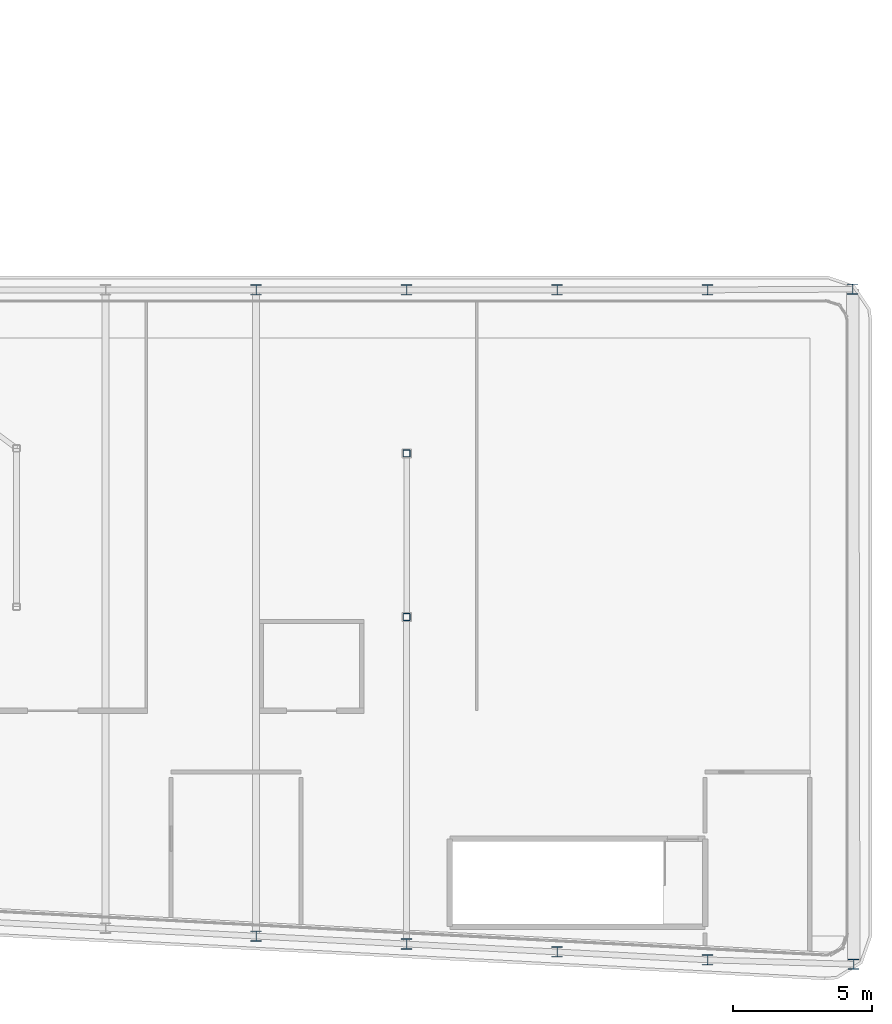
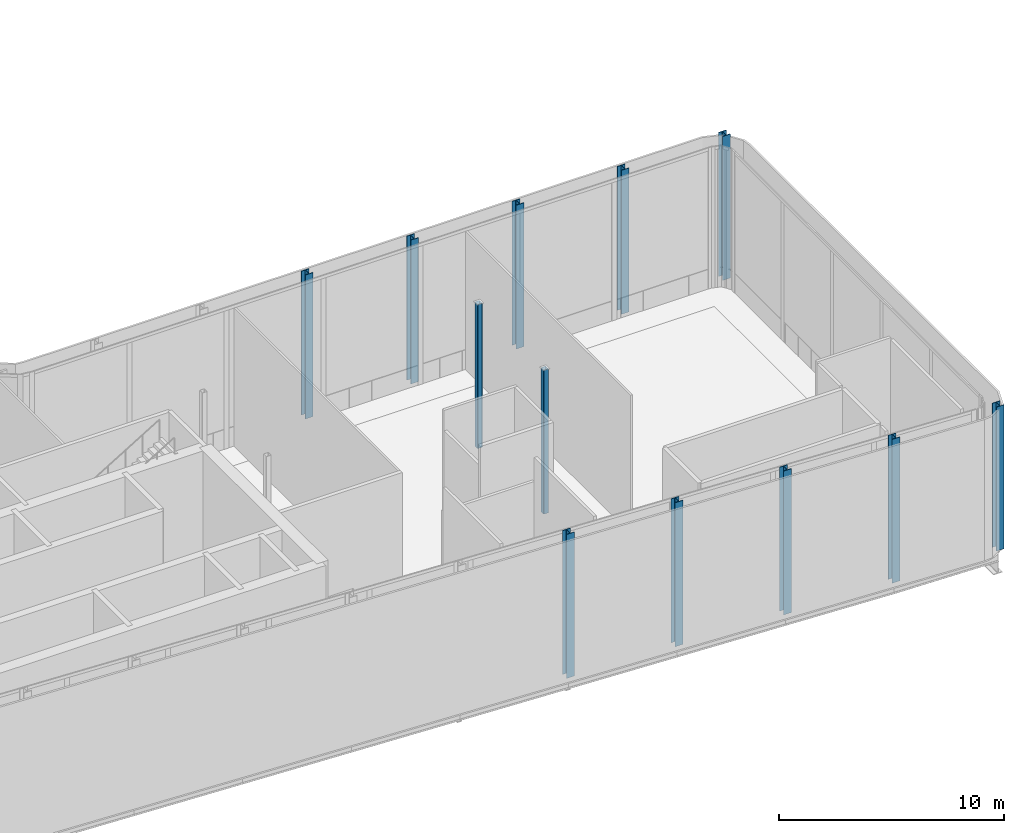
# One storey, part 3 of 27: 12 columns.
"""IFC4 building model written with IfcOpenShell, lengths in metres."""

from ifc_helpers import new_model, si_unit, direction, frame, origin, origin_2d, place, context, subcontext, project, spatial, hollow_rectangle, i_section, extrude, material, material_profile, profile_set, type_object, element, save


model = new_model("IFC4")

# Units and contexts
model_context = context("Model", 3, precision=1e-05, world=origin(), true_north=direction((0.0, 1.0)))
body_context = subcontext(model_context, "Body", "Model", "MODEL_VIEW")
ifc_project = project(units=[si_unit("LENGTHUNIT", "METRE"), si_unit("AREAUNIT", "SQUARE_METRE"), si_unit("VOLUMEUNIT", "CUBIC_METRE"), si_unit("PLANEANGLEUNIT", "RADIAN"), si_unit("MASSUNIT", "GRAM", prefix="KILO")], contexts=[model_context])

# Site, building, storey
site_placement = place(None, origin())
site = spatial("IfcSite", under=ifc_project, at=site_placement, CompositionType="ELEMENT")
building_placement = place(site_placement, origin())
building = spatial("IfcBuilding", under=site, at=building_placement, Name="Kheshtan School and Residences Tower", CompositionType="ELEMENT")
storey_placement = place(building_placement, frame((0.0, 0.0, 266.89990234375)))
storey = spatial("IfcBuildingStorey", under=building, at=storey_placement, Name="L63", CompositionType="ELEMENT", Elevation=266.89990234375)

# Columns
ifc_material_1 = material(Name="Steel ASTM A992 Grade 50", Category="steel")
ifc_material_profile_1 = material_profile(ifc_material_1, i_section(OverallWidth=0.39501953125, OverallDepth=0.3798828125, WebThickness=0.018798828125, FlangeThickness=0.0302734375, FilletRadius=0.011474609375, at=origin_2d()), Name="W360x237")
ifc_profile_set_1 = profile_set([ifc_material_profile_1], Name="Steel ASTM A992 Grade 50")
column_type_1 = type_object("IfcColumnType", Name="Column C5 W360x237 ASTM A992 Grade 50", PredefinedType="COLUMN", material=ifc_profile_set_1)
for number, where, z_axis, x_axis, name in (
    (1, (85.243896484375, 21.39990234375, 0.0), (0.0, 0.0, 1.0), (1.0, 0.0, 0.0), "Column C011"),
    (2, (80.0, 21.55810546875, 0.0), (0.0, 0.0, 1.0), (1.0, 0.0, 0.0), "Column C012"),
    (3, (74.60009765625, 21.843017578125, 0.0), (0.0, 0.0, 1.0), (1.0, 0.0, 0.0), "Column C013"),
    (4, (69.199951171875, 22.126953125, 0.0), (0.0, 0.0, 1.0), (1.0, 0.0, 0.0), "Column C014"),
    (5, (63.800048828125, 22.410888671875, 0.0), (0.0, 0.0, 1.0), (1.0, 0.0, 0.0), "Column C016"),
    (6, (63.800048828125, 45.60009765625, 0.0), (0.0, 0.0, 1.0), (1.0, 0.0, 0.0), "Column C063"),
    (7, (69.199951171875, 45.60009765625, 0.0), (0.0, 0.0, 1.0), (1.0, 0.0, 0.0), "Column C064"),
    (8, (74.60009765625, 45.60009765625, 0.0), (0.0, 0.0, 1.0), (1.0, 0.0, 0.0), "Column C065"),
    (9, (80.0, 45.60009765625, 0.0), (0.0, 0.0, 1.0), (1.0, 0.0, 0.0), "Column C066"),
    (10, (85.201904296875, 45.6279296875, 0.0), (0.0, 0.0, 1.0), (1.0, 0.0, 0.0), "Column C076"),
):
    element("IfcColumn", number, at=place(storey_placement, frame(where, z_axis=z_axis, x_axis=x_axis)), inside=storey, type_object=column_type_1, Name=name, PredefinedType="COLUMN", context=body_context, shape_type="SweptSolid", body=[
        extrude(i_section(OverallWidth=0.39501953125, OverallDepth=0.3798828125, WebThickness=0.018798828125, FlangeThickness=0.0302734375, FilletRadius=0.011474609375, at=origin_2d()), origin(), (0.0, 0.0, 1.0), 7.800048828125),
    ])
ifc_material_2 = material(Name="Steel ASTM A500 Grade C", Category="steel")
ifc_material_profile_2 = material_profile(ifc_material_2, hollow_rectangle(XDim=0.25390625, YDim=0.25390625, WallThickness=0.0126953125, InnerFilletRadius=0.0126953125, OuterFilletRadius=0.025390625, at=origin_2d()), Name="HSS 254x254x12.7")
ifc_profile_set_2 = profile_set([ifc_material_profile_2], Name="Steel ASTM A500 Grade C")
column_type_2 = type_object("IfcColumnType", Name="Column IC3 HSS 254x254x12.7 ASTM A500 Grade C", PredefinedType="COLUMN", material=ifc_profile_set_2)
for number, where, z_axis, x_axis, name in (
    (11, (69.199951171875, 33.863037109375, 0.0), (0.0, 0.0, 1.0), (1.0, 0.0, 0.0), "Column C050"),
    (12, (69.199951171875, 39.73193359375, 0.0), (0.0, 0.0, 1.0), (1.0, 0.0, 0.0), "Column C054"),
):
    element("IfcColumn", number, at=place(storey_placement, frame(where, z_axis=z_axis, x_axis=x_axis)), inside=storey, type_object=column_type_2, Name=name, PredefinedType="COLUMN", context=body_context, shape_type="SweptSolid", body=[
        extrude(hollow_rectangle(XDim=0.25390625, YDim=0.25390625, WallThickness=0.0126953125, InnerFilletRadius=0.0126953125, OuterFilletRadius=0.025390625, at=origin_2d()), origin(), (0.0, 0.0, 1.0), 7.800048828125),
    ])

save(model, "model.ifc")
